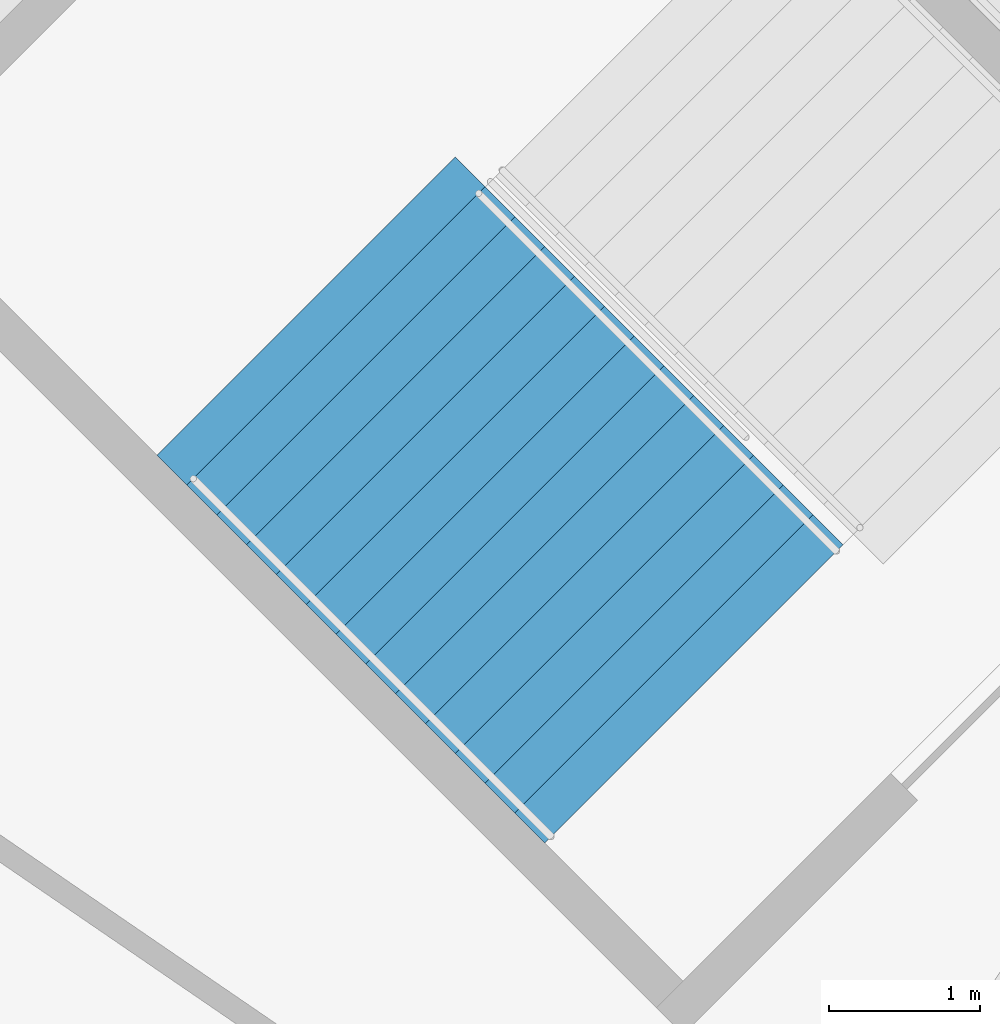
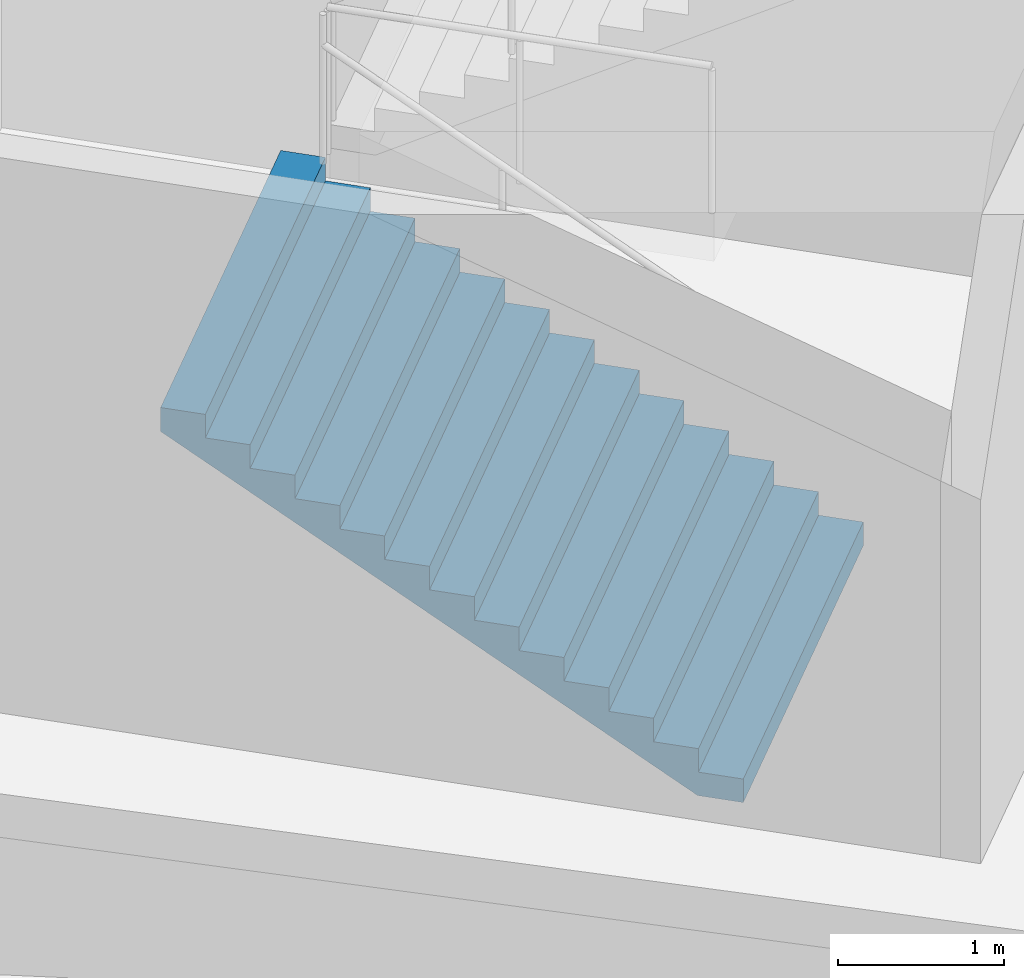
# One storey, part 115 of 175: 1 stair flight, 1 element without a shape of its own.
"""IFC4 building model written with IfcOpenShell, lengths in metres."""

from ifc_helpers import new_model, si_unit, direction, frame, origin, place, context, subcontext, project, spatial, faceted_brep, material, type_object, element, aggregate, save


model = new_model("IFC4")

# Units and contexts
model_context = context("Model", 3, precision=1e-05, world=origin(), true_north=direction((0.0, 1.0)))
body_context = subcontext(model_context, "Body", "Model", "MODEL_VIEW")
ifc_project = project(units=[si_unit("LENGTHUNIT", "METRE"), si_unit("AREAUNIT", "SQUARE_METRE"), si_unit("VOLUMEUNIT", "CUBIC_METRE"), si_unit("PLANEANGLEUNIT", "RADIAN"), si_unit("MASSUNIT", "GRAM", prefix="KILO")], contexts=[model_context])

# Site, building, storey
site_placement = place(None, origin())
site = spatial("IfcSite", under=ifc_project, at=site_placement, CompositionType="ELEMENT")
building_placement = place(site_placement, origin())
building = spatial("IfcBuilding", under=site, at=building_placement, Name="Ogive Plaza Stadium", CompositionType="ELEMENT")
storey_placement = place(building_placement, origin())
storey = spatial("IfcBuildingStorey", under=building, at=storey_placement, Name="L00", CompositionType="ELEMENT", Elevation=0.0)

# Stair, stair flight
ifc_material_1 = material(Name="Concrete C40/50", Category="concrete")
stair_type = type_object("IfcStairType", Name="Exit stair", PredefinedType="STRAIGHT_RUN_STAIR", material=ifc_material_1)
stair_placement = place(storey_placement, origin())
stair = element("IfcStair", 1, at=stair_placement, inside=storey, type_object=stair_type, Name="Exit stair ST30B L00 to L01", PredefinedType="STRAIGHT_RUN_STAIR")
ifc_material_2 = material(Name="Concrete C40/50", Category="concrete")
stair_flight_type = type_object("IfcStairFlightType", Name="Exit stair flight", PredefinedType="STRAIGHT", material=ifc_material_2)
stair_flight_placement = place(storey_placement, frame((-67.074951171875, 79.317138671875, 0.0), z_axis=(0.0, 0.0, 1.0), x_axis=(-0.707106781187, 0.707106781187, 0.0)))
stair_flight = element("IfcStairFlight", 2, at=stair_flight_placement, type_object=stair_flight_type, Name="ST30B flight 1", NumberOfRisers=13, NumberOfTreads=12, PredefinedType="STRAIGHT", RiserHeight=0.173076923, TreadLength=0.28, context=body_context, shape_type="Brep", body=[
    faceted_brep([(0.28515625, -1.39990234375, 0.0), (3.639892578125, -1.39990234375, 2.07373046875), (3.639892578125, -1.39990234375, 2.25), (3.360107421875, -1.39990234375, 2.25), (3.360107421875, -1.39990234375, 2.076904296875), (3.080078125, -1.39990234375, 2.076904296875), (3.080078125, -1.39990234375, 1.90380859375), (2.800048828125, -1.39990234375, 1.90380859375), (2.800048828125, -1.39990234375, 1.730712890625), (2.52001953125, -1.39990234375, 1.730712890625), (2.52001953125, -1.39990234375, 1.5576171875), (2.239990234375, -1.39990234375, 1.5576171875), (2.239990234375, -1.39990234375, 1.384521484375), (1.9599609375, -1.39990234375, 1.384521484375), (1.9599609375, -1.39990234375, 1.21142578125), (1.679931640625, -1.39990234375, 1.21142578125), (1.679931640625, -1.39990234375, 1.03857421875), (1.39990234375, -1.39990234375, 1.03857421875), (1.39990234375, -1.39990234375, 0.865478515625), (1.1201171875, -1.39990234375, 0.865478515625), (1.1201171875, -1.39990234375, 0.6923828125), (0.840087890625, -1.39990234375, 0.6923828125), (0.840087890625, -1.39990234375, 0.519287109375), (0.56005859375, -1.39990234375, 0.519287109375), (0.56005859375, -1.39990234375, 0.34619140625), (0.280029296875, -1.39990234375, 0.34619140625), (0.280029296875, -1.39990234375, 0.173095703125), (0.0, -1.39990234375, 0.173095703125), (0.0, -1.39990234375, 0.0), (0.0, 1.39990234375, 0.0), (0.0, 1.39990234375, 0.173095703125), (0.280029296875, 1.39990234375, 0.173095703125), (0.280029296875, 1.39990234375, 0.34619140625), (0.56005859375, 1.39990234375, 0.34619140625), (0.56005859375, 1.39990234375, 0.519287109375), (0.840087890625, 1.39990234375, 0.519287109375), (0.840087890625, 1.39990234375, 0.6923828125), (1.1201171875, 1.39990234375, 0.6923828125), (1.1201171875, 1.39990234375, 0.865478515625), (1.39990234375, 1.39990234375, 0.865478515625), (1.39990234375, 1.39990234375, 1.03857421875), (1.679931640625, 1.39990234375, 1.03857421875), (1.679931640625, 1.39990234375, 1.21142578125), (1.9599609375, 1.39990234375, 1.21142578125), (1.9599609375, 1.39990234375, 1.384521484375), (2.239990234375, 1.39990234375, 1.384521484375), (2.239990234375, 1.39990234375, 1.5576171875), (2.52001953125, 1.39990234375, 1.5576171875), (2.52001953125, 1.39990234375, 1.730712890625), (2.800048828125, 1.39990234375, 1.730712890625), (2.800048828125, 1.39990234375, 1.90380859375), (3.080078125, 1.39990234375, 1.90380859375), (3.080078125, 1.39990234375, 2.076904296875), (3.360107421875, 1.39990234375, 2.076904296875), (3.360107421875, 1.39990234375, 2.25), (3.639892578125, 1.39990234375, 2.25), (3.639892578125, 1.39990234375, 2.07373046875), (0.28515625, 1.39990234375, 0.0), (0.28515625, -1.0888671875, 0.0), (3.639892578125, -1.0888671875, 2.07373046875), (0.28515625, -0.77783203125, 0.0), (3.639892578125, -0.77783203125, 2.07373046875), (0.28515625, -0.466796875, 0.0), (3.639892578125, -0.466796875, 2.07373046875), (0.28515625, -0.155517578125, 0.0), (3.639892578125, -0.155517578125, 2.07373046875), (0.28515625, 0.155517578125, 0.0), (3.639892578125, 0.155517578125, 2.07373046875), (0.28515625, 0.466796875, 0.0), (3.639892578125, 0.466796875, 2.07373046875), (0.28515625, 0.77783203125, 0.0), (3.639892578125, 0.77783203125, 2.07373046875), (0.28515625, 1.0888671875, 0.0), (3.639892578125, 1.0888671875, 2.07373046875), (3.639892578125, -1.0888671875, 2.25), (3.639892578125, -0.77783203125, 2.25), (3.639892578125, -0.466796875, 2.25), (3.639892578125, -0.155517578125, 2.25), (3.639892578125, 0.155517578125, 2.25), (3.639892578125, 0.466796875, 2.25), (3.639892578125, 0.77783203125, 2.25), (3.639892578125, 1.0888671875, 2.25), (3.360107421875, -1.0888671875, 2.25), (3.360107421875, -0.77783203125, 2.25), (3.360107421875, -0.466796875, 2.25), (3.360107421875, -0.155517578125, 2.25), (3.360107421875, 0.155517578125, 2.25), (3.360107421875, 0.466796875, 2.25), (3.360107421875, 0.77783203125, 2.25), (3.360107421875, 1.0888671875, 2.25), (3.360107421875, -1.0888671875, 2.076904296875), (3.360107421875, -0.77783203125, 2.076904296875), (3.360107421875, -0.466796875, 2.076904296875), (3.360107421875, -0.155517578125, 2.076904296875), (3.360107421875, 0.155517578125, 2.076904296875), (3.360107421875, 0.466796875, 2.076904296875), (3.360107421875, 0.77783203125, 2.076904296875), (3.360107421875, 1.0888671875, 2.076904296875), (3.080078125, -1.0888671875, 2.076904296875), (3.080078125, -0.77783203125, 2.076904296875), (3.080078125, -0.466796875, 2.076904296875), (3.080078125, -0.155517578125, 2.076904296875), (3.080078125, 0.155517578125, 2.076904296875), (3.080078125, 0.466796875, 2.076904296875), (3.080078125, 0.77783203125, 2.076904296875), (3.080078125, 1.0888671875, 2.076904296875), (3.080078125, -1.0888671875, 1.90380859375), (3.080078125, -0.77783203125, 1.90380859375), (3.080078125, -0.466796875, 1.90380859375), (3.080078125, -0.155517578125, 1.90380859375), (3.080078125, 0.155517578125, 1.90380859375), (3.080078125, 0.466796875, 1.90380859375), (3.080078125, 0.77783203125, 1.90380859375), (3.080078125, 1.0888671875, 1.90380859375), (2.800048828125, -1.0888671875, 1.90380859375), (2.800048828125, -0.77783203125, 1.90380859375), (2.800048828125, -0.466796875, 1.90380859375), (2.800048828125, -0.155517578125, 1.90380859375), (2.800048828125, 0.155517578125, 1.90380859375), (2.800048828125, 0.466796875, 1.90380859375), (2.800048828125, 0.77783203125, 1.90380859375), (2.800048828125, 1.0888671875, 1.90380859375), (2.800048828125, -1.0888671875, 1.730712890625), (2.800048828125, -0.77783203125, 1.730712890625), (2.800048828125, -0.466796875, 1.730712890625), (2.800048828125, -0.155517578125, 1.730712890625), (2.800048828125, 0.155517578125, 1.730712890625), (2.800048828125, 0.466796875, 1.730712890625), (2.800048828125, 0.77783203125, 1.730712890625), (2.800048828125, 1.0888671875, 1.730712890625), (2.52001953125, -1.0888671875, 1.730712890625), (2.52001953125, -0.77783203125, 1.730712890625), (2.52001953125, -0.466796875, 1.730712890625), (2.52001953125, -0.155517578125, 1.730712890625), (2.52001953125, 0.155517578125, 1.730712890625), (2.52001953125, 0.466796875, 1.730712890625), (2.52001953125, 0.77783203125, 1.730712890625), (2.52001953125, 1.0888671875, 1.730712890625), (2.52001953125, -1.0888671875, 1.5576171875), (2.52001953125, -0.77783203125, 1.5576171875), (2.52001953125, -0.466796875, 1.5576171875), (2.52001953125, -0.155517578125, 1.5576171875), (2.52001953125, 0.155517578125, 1.5576171875), (2.52001953125, 0.466796875, 1.5576171875), (2.52001953125, 0.77783203125, 1.5576171875), (2.52001953125, 1.0888671875, 1.5576171875), (2.239990234375, -1.0888671875, 1.5576171875), (2.239990234375, -0.77783203125, 1.5576171875), (2.239990234375, -0.466796875, 1.5576171875), (2.239990234375, -0.155517578125, 1.5576171875), (2.239990234375, 0.155517578125, 1.5576171875), (2.239990234375, 0.466796875, 1.5576171875), (2.239990234375, 0.77783203125, 1.5576171875), (2.239990234375, 1.0888671875, 1.5576171875), (2.239990234375, -1.0888671875, 1.384521484375), (2.239990234375, -0.77783203125, 1.384521484375), (2.239990234375, -0.466796875, 1.384521484375), (2.239990234375, -0.155517578125, 1.384521484375), (2.239990234375, 0.155517578125, 1.384521484375), (2.239990234375, 0.466796875, 1.384521484375), (2.239990234375, 0.77783203125, 1.384521484375), (2.239990234375, 1.0888671875, 1.384521484375), (1.9599609375, -1.0888671875, 1.384521484375), (1.9599609375, -0.77783203125, 1.384521484375), (1.9599609375, -0.466796875, 1.384521484375), (1.9599609375, -0.155517578125, 1.384521484375), (1.9599609375, 0.155517578125, 1.384521484375), (1.9599609375, 0.466796875, 1.384521484375), (1.9599609375, 0.77783203125, 1.384521484375), (1.9599609375, 1.0888671875, 1.384521484375), (1.9599609375, -1.0888671875, 1.21142578125), (1.9599609375, -0.77783203125, 1.21142578125), (1.9599609375, -0.466796875, 1.21142578125), (1.9599609375, -0.155517578125, 1.21142578125), (1.9599609375, 0.155517578125, 1.21142578125), (1.9599609375, 0.466796875, 1.21142578125), (1.9599609375, 0.77783203125, 1.21142578125), (1.9599609375, 1.0888671875, 1.21142578125), (1.679931640625, -1.0888671875, 1.21142578125), (1.679931640625, -0.77783203125, 1.21142578125), (1.679931640625, -0.466796875, 1.21142578125), (1.679931640625, -0.155517578125, 1.21142578125), (1.679931640625, 0.155517578125, 1.21142578125), (1.679931640625, 0.466796875, 1.21142578125), (1.679931640625, 0.77783203125, 1.21142578125), (1.679931640625, 1.0888671875, 1.21142578125), (1.679931640625, -1.0888671875, 1.03857421875), (1.679931640625, -0.77783203125, 1.03857421875), (1.679931640625, -0.466796875, 1.03857421875), (1.679931640625, -0.155517578125, 1.03857421875), (1.679931640625, 0.155517578125, 1.03857421875), (1.679931640625, 0.466796875, 1.03857421875), (1.679931640625, 0.77783203125, 1.03857421875), (1.679931640625, 1.0888671875, 1.03857421875), (1.39990234375, -1.0888671875, 1.03857421875), (1.39990234375, -0.77783203125, 1.03857421875), (1.39990234375, -0.466796875, 1.03857421875), (1.39990234375, -0.155517578125, 1.03857421875), (1.39990234375, 0.155517578125, 1.03857421875), (1.39990234375, 0.466796875, 1.03857421875), (1.39990234375, 0.77783203125, 1.03857421875), (1.39990234375, 1.0888671875, 1.03857421875), (1.39990234375, -1.0888671875, 0.865478515625), (1.39990234375, -0.77783203125, 0.865478515625), (1.39990234375, -0.466796875, 0.865478515625), (1.39990234375, -0.155517578125, 0.865478515625), (1.39990234375, 0.155517578125, 0.865478515625), (1.39990234375, 0.466796875, 0.865478515625), (1.39990234375, 0.77783203125, 0.865478515625), (1.39990234375, 1.0888671875, 0.865478515625), (1.1201171875, -1.0888671875, 0.865478515625), (1.1201171875, -0.77783203125, 0.865478515625), (1.1201171875, -0.466796875, 0.865478515625), (1.1201171875, -0.155517578125, 0.865478515625), (1.1201171875, 0.155517578125, 0.865478515625), (1.1201171875, 0.466796875, 0.865478515625), (1.1201171875, 0.77783203125, 0.865478515625), (1.1201171875, 1.0888671875, 0.865478515625), (1.1201171875, -1.0888671875, 0.6923828125), (1.1201171875, -0.77783203125, 0.6923828125), (1.1201171875, -0.466796875, 0.6923828125), (1.1201171875, -0.155517578125, 0.6923828125), (1.1201171875, 0.155517578125, 0.6923828125), (1.1201171875, 0.466796875, 0.6923828125), (1.1201171875, 0.77783203125, 0.6923828125), (1.1201171875, 1.0888671875, 0.6923828125), (0.840087890625, -1.0888671875, 0.6923828125), (0.840087890625, -0.77783203125, 0.6923828125), (0.840087890625, -0.466796875, 0.6923828125), (0.840087890625, -0.155517578125, 0.6923828125), (0.840087890625, 0.155517578125, 0.6923828125), (0.840087890625, 0.466796875, 0.6923828125), (0.840087890625, 0.77783203125, 0.6923828125), (0.840087890625, 1.0888671875, 0.6923828125), (0.840087890625, -1.0888671875, 0.519287109375), (0.840087890625, -0.77783203125, 0.519287109375), (0.840087890625, -0.466796875, 0.519287109375), (0.840087890625, -0.155517578125, 0.519287109375), (0.840087890625, 0.155517578125, 0.519287109375), (0.840087890625, 0.466796875, 0.519287109375), (0.840087890625, 0.77783203125, 0.519287109375), (0.840087890625, 1.0888671875, 0.519287109375), (0.56005859375, -1.0888671875, 0.519287109375), (0.56005859375, -0.77783203125, 0.519287109375), (0.56005859375, -0.466796875, 0.519287109375), (0.56005859375, -0.155517578125, 0.519287109375), (0.56005859375, 0.155517578125, 0.519287109375), (0.56005859375, 0.466796875, 0.519287109375), (0.56005859375, 0.77783203125, 0.519287109375), (0.56005859375, 1.0888671875, 0.519287109375), (0.56005859375, -1.0888671875, 0.34619140625), (0.56005859375, -0.77783203125, 0.34619140625), (0.56005859375, -0.466796875, 0.34619140625), (0.56005859375, -0.155517578125, 0.34619140625), (0.56005859375, 0.155517578125, 0.34619140625), (0.56005859375, 0.466796875, 0.34619140625), (0.56005859375, 0.77783203125, 0.34619140625), (0.56005859375, 1.0888671875, 0.34619140625), (0.280029296875, -1.0888671875, 0.34619140625), (0.280029296875, -0.77783203125, 0.34619140625), (0.280029296875, -0.466796875, 0.34619140625), (0.280029296875, -0.155517578125, 0.34619140625), (0.280029296875, 0.155517578125, 0.34619140625), (0.280029296875, 0.466796875, 0.34619140625), (0.280029296875, 0.77783203125, 0.34619140625), (0.280029296875, 1.0888671875, 0.34619140625), (0.280029296875, -1.0888671875, 0.173095703125), (0.280029296875, -0.77783203125, 0.173095703125), (0.280029296875, -0.466796875, 0.173095703125), (0.280029296875, -0.155517578125, 0.173095703125), (0.280029296875, 0.155517578125, 0.173095703125), (0.280029296875, 0.466796875, 0.173095703125), (0.280029296875, 0.77783203125, 0.173095703125), (0.280029296875, 1.0888671875, 0.173095703125), (0.0, -1.0888671875, 0.173095703125), (0.0, -0.77783203125, 0.173095703125), (0.0, -0.466796875, 0.173095703125), (0.0, -0.155517578125, 0.173095703125), (0.0, 0.155517578125, 0.173095703125), (0.0, 0.466796875, 0.173095703125), (0.0, 0.77783203125, 0.173095703125), (0.0, 1.0888671875, 0.173095703125), (0.0, -1.0888671875, 0.0), (0.0, -0.77783203125, 0.0), (0.0, -0.466796875, 0.0), (0.0, -0.155517578125, 0.0), (0.0, 0.155517578125, 0.0), (0.0, 0.466796875, 0.0), (0.0, 0.77783203125, 0.0), (0.0, 1.0888671875, 0.0)], [[[0, 1, 2, 3, 4, 5, 6, 7, 8, 9, 10, 11, 12, 13, 14, 15, 16, 17, 18, 19, 20, 21, 22, 23, 24, 25, 26, 27, 28]], [[29, 30, 31, 32, 33, 34, 35, 36, 37, 38, 39, 40, 41, 42, 43, 44, 45, 46, 47, 48, 49, 50, 51, 52, 53, 54, 55, 56, 57]], [[0, 58, 59, 1]], [[58, 60, 61, 59]], [[60, 62, 63, 61]], [[62, 64, 65, 63]], [[64, 66, 67, 65]], [[66, 68, 69, 67]], [[68, 70, 71, 69]], [[70, 72, 73, 71]], [[72, 57, 56, 73]], [[1, 59, 74, 2]], [[59, 61, 75, 74]], [[61, 63, 76, 75]], [[63, 65, 77, 76]], [[65, 67, 78, 77]], [[67, 69, 79, 78]], [[69, 71, 80, 79]], [[71, 73, 81, 80]], [[73, 56, 55, 81]], [[2, 74, 82, 3]], [[74, 75, 83, 82]], [[75, 76, 84, 83]], [[76, 77, 85, 84]], [[77, 78, 86, 85]], [[78, 79, 87, 86]], [[79, 80, 88, 87]], [[80, 81, 89, 88]], [[81, 55, 54, 89]], [[3, 82, 90, 4]], [[82, 83, 91, 90]], [[83, 84, 92, 91]], [[84, 85, 93, 92]], [[85, 86, 94, 93]], [[86, 87, 95, 94]], [[87, 88, 96, 95]], [[88, 89, 97, 96]], [[89, 54, 53, 97]], [[4, 90, 98, 5]], [[90, 91, 99, 98]], [[91, 92, 100, 99]], [[92, 93, 101, 100]], [[93, 94, 102, 101]], [[94, 95, 103, 102]], [[95, 96, 104, 103]], [[96, 97, 105, 104]], [[97, 53, 52, 105]], [[5, 98, 106, 6]], [[98, 99, 107, 106]], [[99, 100, 108, 107]], [[100, 101, 109, 108]], [[101, 102, 110, 109]], [[102, 103, 111, 110]], [[103, 104, 112, 111]], [[104, 105, 113, 112]], [[105, 52, 51, 113]], [[6, 106, 114, 7]], [[106, 107, 115, 114]], [[107, 108, 116, 115]], [[108, 109, 117, 116]], [[109, 110, 118, 117]], [[110, 111, 119, 118]], [[111, 112, 120, 119]], [[112, 113, 121, 120]], [[113, 51, 50, 121]], [[7, 114, 122, 8]], [[114, 115, 123, 122]], [[115, 116, 124, 123]], [[116, 117, 125, 124]], [[117, 118, 126, 125]], [[118, 119, 127, 126]], [[119, 120, 128, 127]], [[120, 121, 129, 128]], [[121, 50, 49, 129]], [[8, 122, 130, 9]], [[122, 123, 131, 130]], [[123, 124, 132, 131]], [[124, 125, 133, 132]], [[125, 126, 134, 133]], [[126, 127, 135, 134]], [[127, 128, 136, 135]], [[128, 129, 137, 136]], [[129, 49, 48, 137]], [[9, 130, 138, 10]], [[130, 131, 139, 138]], [[131, 132, 140, 139]], [[132, 133, 141, 140]], [[133, 134, 142, 141]], [[134, 135, 143, 142]], [[135, 136, 144, 143]], [[136, 137, 145, 144]], [[137, 48, 47, 145]], [[10, 138, 146, 11]], [[138, 139, 147, 146]], [[139, 140, 148, 147]], [[140, 141, 149, 148]], [[141, 142, 150, 149]], [[142, 143, 151, 150]], [[143, 144, 152, 151]], [[144, 145, 153, 152]], [[145, 47, 46, 153]], [[11, 146, 154, 12]], [[146, 147, 155, 154]], [[147, 148, 156, 155]], [[148, 149, 157, 156]], [[149, 150, 158, 157]], [[150, 151, 159, 158]], [[151, 152, 160, 159]], [[152, 153, 161, 160]], [[153, 46, 45, 161]], [[12, 154, 162, 13]], [[154, 155, 163, 162]], [[155, 156, 164, 163]], [[156, 157, 165, 164]], [[157, 158, 166, 165]], [[158, 159, 167, 166]], [[159, 160, 168, 167]], [[160, 161, 169, 168]], [[161, 45, 44, 169]], [[13, 162, 170, 14]], [[162, 163, 171, 170]], [[163, 164, 172, 171]], [[164, 165, 173, 172]], [[165, 166, 174, 173]], [[166, 167, 175, 174]], [[167, 168, 176, 175]], [[168, 169, 177, 176]], [[169, 44, 43, 177]], [[14, 170, 178, 15]], [[170, 171, 179, 178]], [[171, 172, 180, 179]], [[172, 173, 181, 180]], [[173, 174, 182, 181]], [[174, 175, 183, 182]], [[175, 176, 184, 183]], [[176, 177, 185, 184]], [[177, 43, 42, 185]], [[15, 178, 186, 16]], [[178, 179, 187, 186]], [[179, 180, 188, 187]], [[180, 181, 189, 188]], [[181, 182, 190, 189]], [[182, 183, 191, 190]], [[183, 184, 192, 191]], [[184, 185, 193, 192]], [[185, 42, 41, 193]], [[16, 186, 194, 17]], [[186, 187, 195, 194]], [[187, 188, 196, 195]], [[188, 189, 197, 196]], [[189, 190, 198, 197]], [[190, 191, 199, 198]], [[191, 192, 200, 199]], [[192, 193, 201, 200]], [[193, 41, 40, 201]], [[17, 194, 202, 18]], [[194, 195, 203, 202]], [[195, 196, 204, 203]], [[196, 197, 205, 204]], [[197, 198, 206, 205]], [[198, 199, 207, 206]], [[199, 200, 208, 207]], [[200, 201, 209, 208]], [[201, 40, 39, 209]], [[18, 202, 210, 19]], [[202, 203, 211, 210]], [[203, 204, 212, 211]], [[204, 205, 213, 212]], [[205, 206, 214, 213]], [[206, 207, 215, 214]], [[207, 208, 216, 215]], [[208, 209, 217, 216]], [[209, 39, 38, 217]], [[19, 210, 218, 20]], [[210, 211, 219, 218]], [[211, 212, 220, 219]], [[212, 213, 221, 220]], [[213, 214, 222, 221]], [[214, 215, 223, 222]], [[215, 216, 224, 223]], [[216, 217, 225, 224]], [[217, 38, 37, 225]], [[20, 218, 226, 21]], [[218, 219, 227, 226]], [[219, 220, 228, 227]], [[220, 221, 229, 228]], [[221, 222, 230, 229]], [[222, 223, 231, 230]], [[223, 224, 232, 231]], [[224, 225, 233, 232]], [[225, 37, 36, 233]], [[21, 226, 234, 22]], [[226, 227, 235, 234]], [[227, 228, 236, 235]], [[228, 229, 237, 236]], [[229, 230, 238, 237]], [[230, 231, 239, 238]], [[231, 232, 240, 239]], [[232, 233, 241, 240]], [[233, 36, 35, 241]], [[22, 234, 242, 23]], [[234, 235, 243, 242]], [[235, 236, 244, 243]], [[236, 237, 245, 244]], [[237, 238, 246, 245]], [[238, 239, 247, 246]], [[239, 240, 248, 247]], [[240, 241, 249, 248]], [[241, 35, 34, 249]], [[23, 242, 250, 24]], [[242, 243, 251, 250]], [[243, 244, 252, 251]], [[244, 245, 253, 252]], [[245, 246, 254, 253]], [[246, 247, 255, 254]], [[247, 248, 256, 255]], [[248, 249, 257, 256]], [[249, 34, 33, 257]], [[24, 250, 258, 25]], [[250, 251, 259, 258]], [[251, 252, 260, 259]], [[252, 253, 261, 260]], [[253, 254, 262, 261]], [[254, 255, 263, 262]], [[255, 256, 264, 263]], [[256, 257, 265, 264]], [[257, 33, 32, 265]], [[25, 258, 266, 26]], [[258, 259, 267, 266]], [[259, 260, 268, 267]], [[260, 261, 269, 268]], [[261, 262, 270, 269]], [[262, 263, 271, 270]], [[263, 264, 272, 271]], [[264, 265, 273, 272]], [[265, 32, 31, 273]], [[26, 266, 274, 27]], [[266, 267, 275, 274]], [[267, 268, 276, 275]], [[268, 269, 277, 276]], [[269, 270, 278, 277]], [[270, 271, 279, 278]], [[271, 272, 280, 279]], [[272, 273, 281, 280]], [[273, 31, 30, 281]], [[27, 274, 282, 28]], [[274, 275, 283, 282]], [[275, 276, 284, 283]], [[276, 277, 285, 284]], [[277, 278, 286, 285]], [[278, 279, 287, 286]], [[279, 280, 288, 287]], [[280, 281, 289, 288]], [[281, 30, 29, 289]], [[28, 282, 58, 0]], [[282, 283, 60, 58]], [[283, 284, 62, 60]], [[284, 285, 64, 62]], [[285, 286, 66, 64]], [[286, 287, 68, 66]], [[287, 288, 70, 68]], [[288, 289, 72, 70]], [[289, 29, 57, 72]]]),
])
aggregate(stair, [stair_flight])

save(model, "model.ifc")
